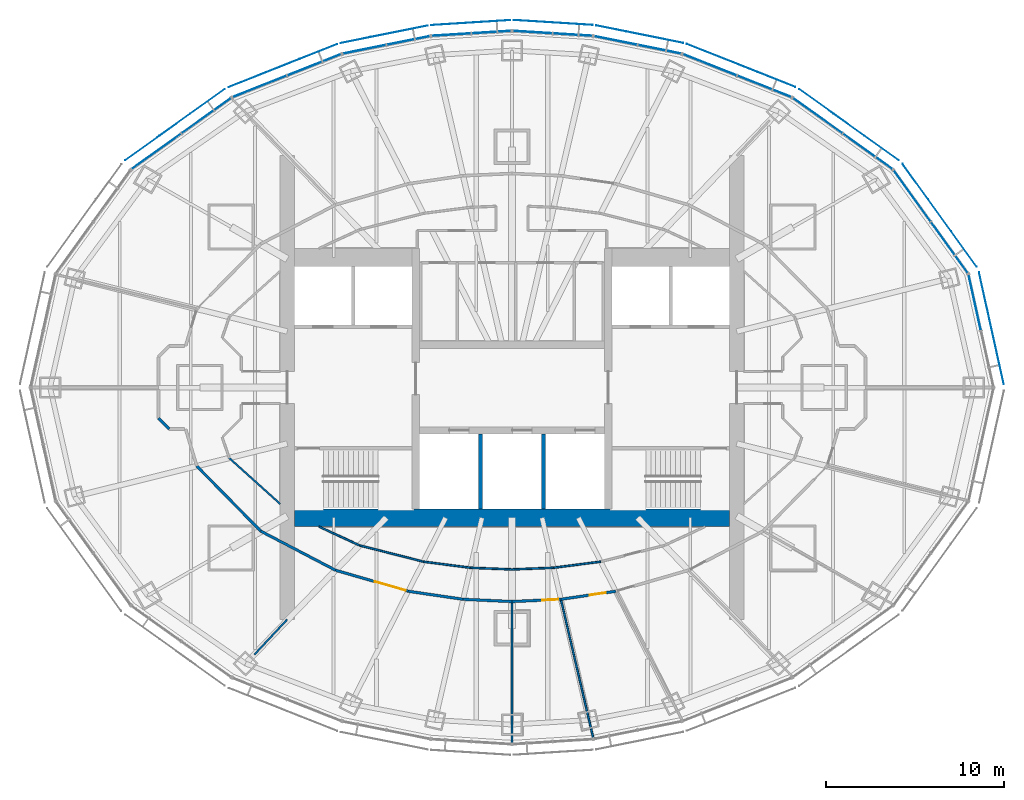
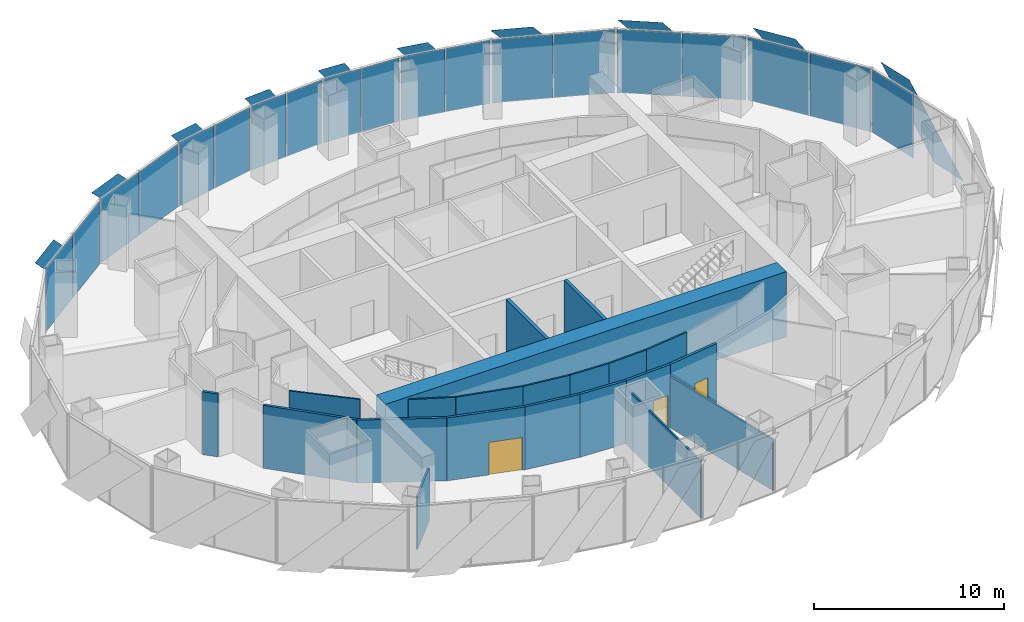
# One storey, part 11 of 17: 29 plates, 21 walls, 3 doors, 3 openings, 10 elements without a shape of their own.
"""IFC4 building model written with IfcOpenShell, lengths in metres."""

from ifc_helpers import new_model, si_unit, direction, frame, frame_2d, origin, origin_2d, place, context, subcontext, project, spatial, polyline, rectangle, outline, extrude, material, layer, layer_set, type_object, element, fill, aggregate, save


model = new_model("IFC4")

# Units and contexts
model_context = context("Model", 3, precision=1e-05, world=origin(), true_north=direction((0.0, 1.0)))
body_context = subcontext(model_context, "Body", "Model", "MODEL_VIEW")
ifc_project = project(units=[si_unit("LENGTHUNIT", "METRE"), si_unit("AREAUNIT", "SQUARE_METRE"), si_unit("VOLUMEUNIT", "CUBIC_METRE"), si_unit("PLANEANGLEUNIT", "RADIAN"), si_unit("MASSUNIT", "GRAM", prefix="KILO")], contexts=[model_context])

# Site, building, storey
site_placement = place(None, origin())
site = spatial("IfcSite", under=ifc_project, at=site_placement, CompositionType="ELEMENT")
building_placement = place(site_placement, origin())
building = spatial("IfcBuilding", under=site, at=building_placement, Name="Lantaw Convention Tower", CompositionType="ELEMENT")
storey_placement = place(building_placement, frame((0.0, 0.0, 215.800048828125)))
storey = spatial("IfcBuildingStorey", under=building, at=storey_placement, Name="L50", CompositionType="ELEMENT", Elevation=215.800048828125)

# Curtain wall, plate
ifc_material_1 = material(Name="Aluminium framed curtain wall", Category="aluminium")
curtain_wall_type = type_object("IfcCurtainWallType", Name="Office curtain wall high rise, pale aluminium", PredefinedType="USERDEFINED", material=ifc_material_1)
curtain_wall_1_placement = place(storey_placement, origin())
curtain_wall_1 = element("IfcCurtainWall", 1, at=curtain_wall_1_placement, inside=storey, type_object=curtain_wall_type, Name="Office curtain wall high rise, pale aluminium L50", ObjectType="UNITISED CURTAIN WALL", PredefinedType="USERDEFINED")
ifc_material_2 = material(Name="Clear insulating glass", Category="glass")
ifc_layer_1 = layer(ifc_material_2, 0.028076171875)
ifc_layer_set_1 = layer_set([ifc_layer_1], Name="CW-O2 panel 28")
plate_type_1 = type_object("IfcPlateType", Name="CW-O2 panel 28", PredefinedType="CURTAIN_PANEL", material=ifc_layer_set_1)
plate_1_placement = place(storey_placement, frame((25.945556640625, 4.769287109375, -0.0849609375), z_axis=(0.0, 0.0, 1.0), x_axis=(-0.215891333626, 0.976417396437, 0.0)))
plate_1 = element("IfcPlate", 2, at=plate_1_placement, type_object=plate_type_1, Name="CW-O2 panel 2.1", PredefinedType="CURTAIN_PANEL", context=body_context, shape_type="SweptSolid", body=[
    extrude(rectangle(XDim=3.169677734375, YDim=0.028076171875, at=origin_2d()), origin(), (0.0, 0.0, 1.0), 4.070068359375),
])
aggregate(curtain_wall_1, [plate_1])

# Curtain wall, plates
curtain_wall_2_placement = place(storey_placement, origin())
curtain_wall_2 = element("IfcCurtainWall", 3, at=curtain_wall_2_placement, inside=storey, type_object=curtain_wall_type, Name="Office curtain wall high rise, pale aluminium L50", ObjectType="UNITISED CURTAIN WALL", PredefinedType="USERDEFINED")
plate_2_placement = place(storey_placement, frame((24.527099609375, 7.852294921875, -0.0849609375), z_axis=(0.0, 0.0, 1.0), x_axis=(-0.585157643865, 0.810919559405, 0.0)))
plate_2 = element("IfcPlate", 4, at=plate_2_placement, type_object=plate_type_1, Name="CW-O2 panel 1.1", PredefinedType="CURTAIN_PANEL", context=body_context, shape_type="SweptSolid", body=[
    extrude(rectangle(XDim=3.500732421875, YDim=0.028076171875, at=origin_2d()), origin(), (0.0, 0.0, 1.0), 4.070068359375),
])
plate_3_placement = place(storey_placement, frame((22.4404296875, 10.743896484375, -0.0849609375), z_axis=(0.0, 0.0, 1.0), x_axis=(-0.585157643865, 0.810919559405, 0.0)))
plate_3 = element("IfcPlate", 5, at=plate_3_placement, type_object=plate_type_1, Name="CW-O2 panel 2.1", PredefinedType="CURTAIN_PANEL", context=body_context, shape_type="SweptSolid", body=[
    extrude(rectangle(XDim=3.500732421875, YDim=0.028076171875, at=origin_2d()), origin(), (0.0, 0.0, 1.0), 4.070068359375),
])
aggregate(curtain_wall_2, [plate_2, plate_3])

curtain_wall_3_placement = place(storey_placement, origin())
curtain_wall_3 = element("IfcCurtainWall", 6, at=curtain_wall_3_placement, inside=storey, type_object=curtain_wall_type, Name="Office curtain wall high rise, pale aluminium L50", ObjectType="UNITISED CURTAIN WALL", PredefinedType="USERDEFINED")
plate_4_placement = place(storey_placement, frame((19.947509765625, 13.23828125, -0.0849609375), z_axis=(0.0, 0.0, 1.0), x_axis=(-0.813672540482, 0.581323487281, 0.0)))
plate_4 = element("IfcPlate", 7, at=plate_4_placement, type_object=plate_type_1, Name="CW-O2 panel 1.1", PredefinedType="CURTAIN_PANEL", context=body_context, shape_type="SweptSolid", body=[
    extrude(rectangle(XDim=3.386474609375, YDim=0.028076171875, at=origin_2d()), origin(), (0.0, 0.0, 1.0), 4.070068359375),
])
plate_5_placement = place(storey_placement, frame((17.13916015625, 15.24462890625, -0.0849609375), z_axis=(0.0, 0.0, 1.0), x_axis=(-0.813672540482, 0.581323487281, 0.0)))
plate_5 = element("IfcPlate", 8, at=plate_5_placement, type_object=plate_type_1, Name="CW-O2 panel 2.1", PredefinedType="CURTAIN_PANEL", context=body_context, shape_type="SweptSolid", body=[
    extrude(rectangle(XDim=3.386474609375, YDim=0.028076171875, at=origin_2d()), origin(), (0.0, 0.0, 1.0), 4.070068359375),
])
aggregate(curtain_wall_3, [plate_4, plate_5])

curtain_wall_4_placement = place(storey_placement, origin())
curtain_wall_4 = element("IfcCurtainWall", 9, at=curtain_wall_4_placement, inside=storey, type_object=curtain_wall_type, Name="Office curtain wall high rise, pale aluminium L50", ObjectType="UNITISED CURTAIN WALL", PredefinedType="USERDEFINED")
plate_6_placement = place(storey_placement, frame((14.14990234375, 16.8837890625, -0.0849609375), z_axis=(0.0, 0.0, 1.0), x_axis=(-0.929761533743, 0.368162315252, 0.0)))
plate_6 = element("IfcPlate", 10, at=plate_6_placement, type_object=plate_type_1, Name="CW-O2 panel 1.1", PredefinedType="CURTAIN_PANEL", context=body_context, shape_type="SweptSolid", body=[
    extrude(rectangle(XDim=3.222900390625, YDim=0.028076171875, at=origin_2d()), origin(), (0.0, 0.0, 1.0), 4.070068359375),
])
plate_7_placement = place(storey_placement, frame((11.0927734375, 18.094482421875, -0.0849609375), z_axis=(0.0, 0.0, 1.0), x_axis=(-0.929761533743, 0.368162315252, 0.0)))
plate_7 = element("IfcPlate", 11, at=plate_7_placement, type_object=plate_type_1, Name="CW-O2 panel 2.1", PredefinedType="CURTAIN_PANEL", context=body_context, shape_type="SweptSolid", body=[
    extrude(rectangle(XDim=3.222900390625, YDim=0.028076171875, at=origin_2d()), origin(), (0.0, 0.0, 1.0), 4.070068359375),
])
aggregate(curtain_wall_4, [plate_6, plate_7])

curtain_wall_5_placement = place(storey_placement, origin())
curtain_wall_5 = element("IfcCurtainWall", 12, at=curtain_wall_5_placement, inside=storey, type_object=curtain_wall_type, Name="Office curtain wall high rise, pale aluminium L50", ObjectType="UNITISED CURTAIN WALL", PredefinedType="USERDEFINED")
plate_8_placement = place(storey_placement, frame((8.2724609375, 18.96533203125, -0.0849609375), z_axis=(0.0, 0.0, 1.0), x_axis=(-0.980366679695, 0.197183095987, 0.0)))
plate_8 = element("IfcPlate", 13, at=plate_8_placement, type_object=plate_type_1, Name="CW-O2 panel 1.1", PredefinedType="CURTAIN_PANEL", context=body_context, shape_type="SweptSolid", body=[
    extrude(rectangle(XDim=2.44384765625, YDim=0.028076171875, at=origin_2d()), origin(), (0.0, 0.0, 1.0), 4.070068359375),
])
plate_9_placement = place(storey_placement, frame((5.81298828125, 19.4599609375, -0.0849609375), z_axis=(0.0, 0.0, 1.0), x_axis=(-0.980366679695, 0.197183095987, 0.0)))
plate_9 = element("IfcPlate", 14, at=plate_9_placement, type_object=plate_type_1, Name="CW-O2 panel 2.1", PredefinedType="CURTAIN_PANEL", context=body_context, shape_type="SweptSolid", body=[
    extrude(rectangle(XDim=2.44384765625, YDim=0.028076171875, at=origin_2d()), origin(), (0.0, 0.0, 1.0), 4.070068359375),
])
aggregate(curtain_wall_5, [plate_8, plate_9])

curtain_wall_6_placement = place(storey_placement, origin())
curtain_wall_6 = element("IfcCurtainWall", 15, at=curtain_wall_6_placement, inside=storey, type_object=curtain_wall_type, Name="Office curtain wall high rise, pale aluminium L50", ObjectType="UNITISED CURTAIN WALL", PredefinedType="USERDEFINED")
plate_10_placement = place(storey_placement, frame((3.397216796875, 19.786376953125, -0.0849609375), z_axis=(0.0, 0.0, 1.0), x_axis=(-0.998028774865, 0.062757983884, 0.0)))
plate_10 = element("IfcPlate", 16, at=plate_10_placement, type_object=plate_type_1, Name="CW-O2 panel 1.1", PredefinedType="CURTAIN_PANEL", context=body_context, shape_type="SweptSolid", body=[
    extrude(rectangle(XDim=2.1826171875, YDim=0.028076171875, at=origin_2d()), origin(), (0.0, 0.0, 1.0), 4.070068359375),
])
plate_11_placement = place(storey_placement, frame((1.154052734375, 19.927490234375, -0.0849609375), z_axis=(0.0, 0.0, 1.0), x_axis=(-0.998028774865, 0.062757983884, 0.0)))
plate_11 = element("IfcPlate", 17, at=plate_11_placement, type_object=plate_type_1, Name="CW-O2 panel 2.1", PredefinedType="CURTAIN_PANEL", context=body_context, shape_type="SweptSolid", body=[
    extrude(rectangle(XDim=2.1826171875, YDim=0.028076171875, at=origin_2d()), origin(), (0.0, 0.0, 1.0), 4.070068359375),
])
aggregate(curtain_wall_6, [plate_10, plate_11])

curtain_wall_7_placement = place(storey_placement, origin())
curtain_wall_7 = element("IfcCurtainWall", 18, at=curtain_wall_7_placement, inside=storey, type_object=curtain_wall_type, Name="Office curtain wall high rise, pale aluminium L50", ObjectType="UNITISED CURTAIN WALL", PredefinedType="USERDEFINED")
plate_12_placement = place(storey_placement, frame((-1.154052734375, 19.927490234375, -0.0849609375), z_axis=(0.0, 0.0, 1.0), x_axis=(-0.998028774865, -0.062757983884, 0.0)))
plate_12 = element("IfcPlate", 19, at=plate_12_placement, type_object=plate_type_1, Name="CW-O2 panel 1.1", PredefinedType="CURTAIN_PANEL", context=body_context, shape_type="SweptSolid", body=[
    extrude(rectangle(XDim=2.1826171875, YDim=0.028076171875, at=origin_2d()), origin(), (0.0, 0.0, 1.0), 4.070068359375),
])
plate_13_placement = place(storey_placement, frame((-3.397216796875, 19.786376953125, -0.0849609375), z_axis=(0.0, 0.0, 1.0), x_axis=(-0.998028774865, -0.062757983884, 0.0)))
plate_13 = element("IfcPlate", 20, at=plate_13_placement, type_object=plate_type_1, Name="CW-O2 panel 2.1", PredefinedType="CURTAIN_PANEL", context=body_context, shape_type="SweptSolid", body=[
    extrude(rectangle(XDim=2.1826171875, YDim=0.028076171875, at=origin_2d()), origin(), (0.0, 0.0, 1.0), 4.070068359375),
])
aggregate(curtain_wall_7, [plate_12, plate_13])

curtain_wall_8_placement = place(storey_placement, origin())
curtain_wall_8 = element("IfcCurtainWall", 21, at=curtain_wall_8_placement, inside=storey, type_object=curtain_wall_type, Name="Office curtain wall high rise, pale aluminium L50", ObjectType="UNITISED CURTAIN WALL", PredefinedType="USERDEFINED")
plate_14_placement = place(storey_placement, frame((-5.81298828125, 19.4599609375, -0.0849609375), z_axis=(0.0, 0.0, 1.0), x_axis=(-0.980366679695, -0.197183095987, 0.0)))
plate_14 = element("IfcPlate", 22, at=plate_14_placement, type_object=plate_type_1, Name="CW-O2 panel 1.1", PredefinedType="CURTAIN_PANEL", context=body_context, shape_type="SweptSolid", body=[
    extrude(rectangle(XDim=2.44384765625, YDim=0.028076171875, at=origin_2d()), origin(), (0.0, 0.0, 1.0), 4.070068359375),
])
plate_15_placement = place(storey_placement, frame((-8.2724609375, 18.96533203125, -0.0849609375), z_axis=(0.0, 0.0, 1.0), x_axis=(-0.980366679695, -0.197183095987, 0.0)))
plate_15 = element("IfcPlate", 23, at=plate_15_placement, type_object=plate_type_1, Name="CW-O2 panel 2.1", PredefinedType="CURTAIN_PANEL", context=body_context, shape_type="SweptSolid", body=[
    extrude(rectangle(XDim=2.44384765625, YDim=0.028076171875, at=origin_2d()), origin(), (0.0, 0.0, 1.0), 4.070068359375),
])
aggregate(curtain_wall_8, [plate_14, plate_15])

curtain_wall_9_placement = place(storey_placement, origin())
curtain_wall_9 = element("IfcCurtainWall", 24, at=curtain_wall_9_placement, inside=storey, type_object=curtain_wall_type, Name="Office curtain wall high rise, pale aluminium L50", ObjectType="UNITISED CURTAIN WALL", PredefinedType="USERDEFINED")
plate_16_placement = place(storey_placement, frame((-11.0927734375, 18.094482421875, -0.0849609375), z_axis=(0.0, 0.0, 1.0), x_axis=(-0.929761533743, -0.368162315252, 0.0)))
plate_16 = element("IfcPlate", 25, at=plate_16_placement, type_object=plate_type_1, Name="CW-O2 panel 1.1", PredefinedType="CURTAIN_PANEL", context=body_context, shape_type="SweptSolid", body=[
    extrude(rectangle(XDim=3.222900390625, YDim=0.028076171875, at=origin_2d()), origin(), (0.0, 0.0, 1.0), 4.070068359375),
])
plate_17_placement = place(storey_placement, frame((-14.14990234375, 16.8837890625, -0.0849609375), z_axis=(0.0, 0.0, 1.0), x_axis=(-0.929761533743, -0.368162315252, 0.0)))
plate_17 = element("IfcPlate", 26, at=plate_17_placement, type_object=plate_type_1, Name="CW-O2 panel 2.1", PredefinedType="CURTAIN_PANEL", context=body_context, shape_type="SweptSolid", body=[
    extrude(rectangle(XDim=3.222900390625, YDim=0.028076171875, at=origin_2d()), origin(), (0.0, 0.0, 1.0), 4.070068359375),
])
aggregate(curtain_wall_9, [plate_16, plate_17])

curtain_wall_10_placement = place(storey_placement, origin())
curtain_wall_10 = element("IfcCurtainWall", 27, at=curtain_wall_10_placement, inside=storey, type_object=curtain_wall_type, Name="Office curtain wall high rise, pale aluminium L50", ObjectType="UNITISED CURTAIN WALL", PredefinedType="USERDEFINED")
plate_18_placement = place(storey_placement, frame((-17.13916015625, 15.24462890625, -0.0849609375), z_axis=(0.0, 0.0, 1.0), x_axis=(-0.813672540482, -0.581323487281, 0.0)))
plate_18 = element("IfcPlate", 28, at=plate_18_placement, type_object=plate_type_1, Name="CW-O2 panel 1.1", PredefinedType="CURTAIN_PANEL", context=body_context, shape_type="SweptSolid", body=[
    extrude(rectangle(XDim=3.386474609375, YDim=0.028076171875, at=origin_2d()), origin(), (0.0, 0.0, 1.0), 4.070068359375),
])
plate_19_placement = place(storey_placement, frame((-19.947509765625, 13.23828125, -0.0849609375), z_axis=(0.0, 0.0, 1.0), x_axis=(-0.813672540482, -0.581323487281, 0.0)))
plate_19 = element("IfcPlate", 29, at=plate_19_placement, type_object=plate_type_1, Name="CW-O2 panel 2.1", PredefinedType="CURTAIN_PANEL", context=body_context, shape_type="SweptSolid", body=[
    extrude(rectangle(XDim=3.386474609375, YDim=0.028076171875, at=origin_2d()), origin(), (0.0, 0.0, 1.0), 4.070068359375),
])
aggregate(curtain_wall_10, [plate_18, plate_19])

# Plates
ifc_material_3 = material(Name="Perforated aluminium sheet, pale silver finish", Category="aluminium")
ifc_layer_2 = layer(ifc_material_3, 0.006103515625)
ifc_layer_set_2 = layer_set([ifc_layer_2], Name="Perforated aluminium solar SCREEN panel")
plate_type_2 = type_object("IfcPlateType", Name="Perforated aluminium solar SCREEN panel", PredefinedType="SHEET", material=ifc_layer_set_2)
plate_20_placement = place(storey_placement, frame((27.580810546875, 0.1796875, -0.175048828125), z_axis=(0.976429511424, 0.215836529031, 4.4219438e-05), x_axis=(-0.215836529242, 0.976429512379, 0.0)))
element("IfcPlate", 30, at=plate_20_placement, inside=storey, type_object=plate_type_2, Name="Solar SCREEN panel", PredefinedType="SHEET", context=body_context, shape_type="SweptSolid", body=[
    extrude(outline(polyline([(0.0, 0.0), (2.2215525295212517, -3.3881317890172014e-21), (6.4341686174090675, 4.340087894868215), (4.212616087887817, 4.340087894868215), (0.0, 0.0)])), origin(), (0.0, 0.0, -1.0), 0.006103515625),
])
plate_21_placement = place(storey_placement, frame((26.051513671875, 6.775390625, -0.175048828125), z_axis=(-0.810892289695, -0.585195432394, 2.0458414e-05), x_axis=(-0.585195432516, 0.810892289865, 0.0)))
element("IfcPlate", 31, at=plate_21_placement, inside=storey, type_object=plate_type_2, Name="Solar SCREEN panel", PredefinedType="SHEET", context=body_context, shape_type="SweptSolid", body=[
    extrude(outline(polyline([(0.0, 0.0), (2.446848840683286, 6.776263578034403e-21), (7.09661046667572, -4.340087891533265), (4.649761625992435, -4.340087891533265), (0.0, 0.0)])), origin(), (0.0, 0.0, -1.0), 0.006103515625),
])
plate_22_placement = place(storey_placement, frame((21.689697265625, 12.73828125, -0.175048828125), z_axis=(0.581330799771, 0.813667316006, 1.0072414e-05), x_axis=(-0.813667316047, 0.5813307998, 3.02e-10)))
element("IfcPlate", 32, at=plate_22_placement, inside=storey, type_object=plate_type_2, Name="Solar SCREEN panel", PredefinedType="SHEET", context=body_context, shape_type="SweptSolid", body=[
    extrude(outline(polyline([(0.0, 0.0), (2.3691416428668504, 0.0), (6.867806096558412, 4.34008788877314), (4.498863102938644, 4.340087890202622), (0.0, 0.0)])), origin(), (0.0, 0.0, -1.0), 0.006103515625),
])
plate_23_placement = place(storey_placement, frame((15.88525390625, 16.8486328125, -0.175048828125), z_axis=(-0.368116612072, -0.929779629081, 3.5533269e-05), x_axis=(-0.929779629668, 0.368116612304, -1.786e-09)))
element("IfcPlate", 33, at=plate_23_placement, inside=storey, type_object=plate_type_2, Name="Solar SCREEN panel", PredefinedType="SHEET", context=body_context, shape_type="SweptSolid", body=[
    extrude(outline(polyline([(0.0, 0.0), (2.2578720663572183, -3.3881317890172014e-21), (6.540904465438181, -4.340087905048178), (4.282942526861161, -4.340087896982072), (0.0, 0.0)])), origin(), (0.0, 0.0, -1.0), 0.006103515625),
])
plate_24_placement = place(storey_placement, frame((9.6044921875, 19.315673828125, -0.175048828125), z_axis=(-0.197162069853, -0.980370908428, 1.0904083e-05), x_axis=(-0.980370908486, 0.197162069865, -7.55e-10)))
element("IfcPlate", 34, at=plate_24_placement, inside=storey, type_object=plate_type_2, Name="Solar SCREEN panel", PredefinedType="SHEET", context=body_context, shape_type="SweptSolid", body=[
    extrude(outline(polyline([(0.0, 0.0), (1.7279870169553606, 8.470329472543003e-22), (4.982578440602753, -4.340087894645749), (3.2545432883764285, -4.340087892035838), (0.0, 0.0)])), origin(), (0.0, 0.0, -1.0), 0.006103515625),
])
plate_25_placement = place(storey_placement, frame((4.539306640625, 20.32177734375, -0.175048828125), z_axis=(-0.062672387577, -0.998034151922, 5.858668e-05), x_axis=(-0.998034153635, 0.062672387685, 0.0)))
element("IfcPlate", 35, at=plate_25_placement, inside=storey, type_object=plate_type_2, Name="Solar SCREEN panel", PredefinedType="SHEET", context=body_context, shape_type="SweptSolid", body=[
    extrude(outline(polyline([(0.0, 0.0), (1.5504111513762302, 8.470329472543003e-22), (4.460200019412434, -4.340087898073457), (2.9097888680362036, -4.340087898073457), (0.0, 0.0)])), origin(), (0.0, 0.0, -1.0), 0.006103515625),
])
plate_26_placement = place(storey_placement, frame((-0.087890625, 20.6015625, -0.175048828125), z_axis=(-0.062672387577, 0.998034151922, 5.858668e-05), x_axis=(-0.998034153635, -0.062672387685, 0.0)))
element("IfcPlate", 36, at=plate_26_placement, inside=storey, type_object=plate_type_2, Name="Solar SCREEN panel", PredefinedType="SHEET", context=body_context, shape_type="SweptSolid", body=[
    extrude(outline(polyline([(0.0, 0.0), (1.5504111513762302, -8.470329472543003e-22), (4.460200019412434, 4.340087898073457), (2.9097888680362036, 4.340087898073457), (0.0, 0.0)])), origin(), (0.0, 0.0, -1.0), 0.006103515625),
])
plate_27_placement = place(storey_placement, frame((-4.7197265625, 20.298095703125, -0.175048828125), z_axis=(-0.197162069853, 0.980370908428, 1.0904083e-05), x_axis=(-0.980370908486, -0.197162069865, 7.55e-10)))
element("IfcPlate", 37, at=plate_27_placement, inside=storey, type_object=plate_type_2, Name="Solar SCREEN panel", PredefinedType="SHEET", context=body_context, shape_type="SweptSolid", body=[
    extrude(outline(polyline([(0.0, 0.0), (1.7280351522263238, 4.235164736271502e-22), (4.982578447157737, 4.34008788712039), (3.2545914302023755, 4.340087889730228), (0.0, 0.0)])), origin(), (0.0, 0.0, -1.0), 0.006103515625),
])
plate_28_placement = place(storey_placement, frame((-9.8037109375, 19.256591796875, -0.175048828125), z_axis=(-0.368116612072, 0.929779629081, 3.5533269e-05), x_axis=(-0.929779629668, -0.368116612304, 1.786e-09)))
element("IfcPlate", 38, at=plate_28_placement, inside=storey, type_object=plate_type_2, Name="Solar SCREEN panel", PredefinedType="SHEET", context=body_context, shape_type="SweptSolid", body=[
    extrude(outline(polyline([(0.0, 0.0), (2.257961938577019, 0.0), (6.540904480942253, 4.34008788168214), (4.283032414585035, 4.340087889747925), (0.0, 0.0)])), origin(), (0.0, 0.0, -1.0), 0.006103515625),
])
plate_29_placement = place(storey_placement, frame((-16.1015625, 16.730712890625, -0.175048828125), z_axis=(0.581330799771, -0.813667316006, 1.0072414e-05), x_axis=(-0.813667316047, -0.5813307998, -3.02e-10)))
element("IfcPlate", 39, at=plate_29_placement, inside=storey, type_object=plate_type_2, Name="Solar SCREEN panel", PredefinedType="SHEET", context=body_context, shape_type="SweptSolid", body=[
    extrude(outline(polyline([(0.0, 0.0), (2.3689429936197683, -1.6940658945086007e-21), (6.867806093939489, -4.340087892917353), (4.498664451072639, -4.340087891487751), (0.0, 0.0)])), origin(), (0.0, 0.0, -1.0), 0.006103515625),
])

# Walls
ifc_material_4 = material(Name="Concrete C60/75", Category="concrete")
ifc_layer_3 = layer(ifc_material_4, 1.0)
ifc_layer_set_3 = layer_set([ifc_layer_3], Name="Core wall 1000")
wall_type_1 = type_object("IfcWallType", Name="Core wall 1000", PredefinedType="SHEAR", material=ifc_layer_set_3)
wall_1_placement = place(storey_placement, frame((-12.199951171875, -7.300048828125, 0.0), z_axis=(0.0, 0.0, 1.0), x_axis=(1.0, 0.0, 0.0)))
element("IfcWall", 40, at=wall_1_placement, inside=storey, type_object=wall_type_1, Name="Core wall S", PredefinedType="SHEAR", context=body_context, shape_type="SweptSolid", body=[
    extrude(rectangle(XDim=24.39990234375, YDim=1.0, at=frame_2d((12.199951171875, 0.0))), origin(), (0.0, 0.0, 1.0), 4.199951171875),
])
ifc_material_5 = material(Name="Gypsum board on steel studs, fire rated", Category="steel")
ifc_layer_4 = layer(ifc_material_5, 0.14990234375)
ifc_layer_set_4 = layer_set([ifc_layer_4], Name="Corridor wall 150 EI 60")
wall_type_2 = type_object("IfcWallType", Name="Corridor wall 150 EI 60", PredefinedType="PARTITIONING", material=ifc_layer_set_4)
wall_2_placement = place(storey_placement, frame((-17.6728515625, -4.40625, 0.0), z_axis=(0.0, 0.0, 1.0), x_axis=(0.701111216625, -0.713051934941, 0.0)))
element("IfcWall", 41, at=wall_2_placement, inside=storey, type_object=wall_type_2, Name="Corridor wall 150", PredefinedType="PARTITIONING", context=body_context, shape_type="SweptSolid", body=[
    extrude(rectangle(XDim=5.111572265625, YDim=0.14990234375, at=frame_2d((2.5556640625, 0.0))), origin(), (0.0, 0.0, 1.0), 4.050048828125),
])
wall_3_placement = place(storey_placement, frame((-14.089111328125, -8.051025390625, 0.0), z_axis=(0.0, 0.0, 1.0), x_axis=(0.886174439647, -0.463351769735, 0.0)))
element("IfcWall", 42, at=wall_3_placement, inside=storey, type_object=wall_type_2, Name="Corridor wall 150", PredefinedType="PARTITIONING", context=body_context, shape_type="SweptSolid", body=[
    extrude(rectangle(XDim=4.734619140625, YDim=0.14990234375, at=frame_2d((2.3671875, 0.0))), origin(), (0.0, 0.0, 1.0), 4.050048828125),
])

# Wall, opening, door
wall_4_placement = place(storey_placement, frame((-9.893310546875, -10.244873046875, 0.0), z_axis=(0.0, 0.0, 1.0), x_axis=(0.960614838378, -0.27788330696, 0.0)))
wall_4 = element("IfcWall", 43, at=wall_4_placement, inside=storey, type_object=wall_type_2, Name="Corridor wall 150", PredefinedType="PARTITIONING", context=body_context, shape_type="SweptSolid", body=[
    extrude(rectangle(XDim=4.239990234375, YDim=0.14990234375, at=frame_2d((2.1201171875, 0.0))), origin(), (0.0, 0.0, 1.0), 4.050048828125),
])
opening_1_placement = place(wall_4_placement, frame((2.2900390625, 0.0, 0.0)))
opening_1 = element("IfcOpeningElement", 44, at=opening_1_placement, cuts=wall_4, Name="Opening L50.28", PredefinedType="OPENING", context=body_context, shape_type="SweptSolid", body=[
    extrude(rectangle(XDim=1.800048828125, YDim=2.10009765625, at=frame_2d((0.89990234375, 1.050048828125))), frame((0.0, 0.0849609375, 0.0), z_axis=(0.0, -1.0, 0.0), x_axis=(1.0, 0.0, 0.0)), (0.0, 0.0, 1.0), 0.169921875),
])
ifc_material_6 = material(Name="Steel, fire rated", Category="steel")
door_type_1 = type_object("IfcDoorType", Name="Office double door 1800 FD30", OperationType="DOUBLE_DOOR_DOUBLE_SWING", PredefinedType="DOOR", material=ifc_material_6)
door_1_placement = place(opening_1_placement, origin())
door_1 = element("IfcDoor", 45, at=door_1_placement, inside=storey, type_object=door_type_1, Name="Open office door", OperationType="DOUBLE_DOOR_DOUBLE_SWING", OverallHeight=2.10009765625, OverallWidth=1.800048828125, PredefinedType="DOOR", context=body_context, shape_type="SweptSolid", body=[
    extrude(rectangle(XDim=1.800048828125, YDim=2.10009765625, at=frame_2d((0.89990234375, 1.050048828125))), frame((0.0, 0.02490234375, 0.0), z_axis=(0.0, -1.0, 0.0), x_axis=(1.0, 0.0, 0.0)), (0.0, 0.0, 1.0), 0.050048828125),
])
fill(opening_1, door_1)

# Walls
wall_5_placement = place(storey_placement, frame((-5.8203125, -11.423095703125, 0.0), z_axis=(0.0, 0.0, 1.0), x_axis=(0.989421822189, -0.145067080265, 0.0)))
element("IfcWall", 46, at=wall_5_placement, inside=storey, type_object=wall_type_2, Name="Corridor wall 150", PredefinedType="PARTITIONING", context=body_context, shape_type="SweptSolid", body=[
    extrude(rectangle(XDim=3.11181640625, YDim=0.14990234375, at=frame_2d((1.555908203125, 0.0))), origin(), (0.0, 0.0, 1.0), 4.050048828125),
])
wall_6_placement = place(storey_placement, frame((-2.741455078125, -11.87451171875, 0.0), z_axis=(0.0, 0.0, 1.0), x_axis=(0.998953998629, -0.045726454297, 0.0)))
element("IfcWall", 47, at=wall_6_placement, inside=storey, type_object=wall_type_2, Name="Corridor wall 150", PredefinedType="PARTITIONING", context=body_context, shape_type="SweptSolid", body=[
    extrude(rectangle(XDim=2.744384765625, YDim=0.14990234375, at=frame_2d((1.3720703125, 0.0))), origin(), (0.0, 0.0, 1.0), 4.050048828125),
])

# Wall, opening, door
wall_7_placement = place(storey_placement, frame((0.0, -12.0, 0.0), z_axis=(0.0, 0.0, 1.0), x_axis=(0.998953998629, 0.045726454297, 0.0)))
wall_7 = element("IfcWall", 48, at=wall_7_placement, inside=storey, type_object=wall_type_2, Name="Corridor wall 150", PredefinedType="PARTITIONING", context=body_context, shape_type="SweptSolid", body=[
    extrude(rectangle(XDim=2.744384765625, YDim=0.14990234375, at=frame_2d((1.3720703125, 0.0))), origin(), (0.0, 0.0, 1.0), 4.050048828125),
])
opening_2_placement = place(wall_7_placement, frame((1.6943359375, 0.0, 0.0)))
opening_2 = element("IfcOpeningElement", 49, at=opening_2_placement, cuts=wall_7, Name="Opening L50.29", PredefinedType="OPENING", context=body_context, shape_type="SweptSolid", body=[
    extrude(rectangle(XDim=0.89990234375, YDim=2.10009765625, at=frame_2d((0.449951171875, 1.050048828125))), frame((0.0, 0.0849609375, 0.0), z_axis=(0.0, -1.0, 0.0), x_axis=(1.0, 0.0, 0.0)), (0.0, 0.0, 1.0), 0.169921875),
])
door_type_2 = type_object("IfcDoorType", Name="Office door 900 FD30", OperationType="SINGLE_SWING_LEFT", PredefinedType="DOOR", material=ifc_material_6)
door_2_placement = place(opening_2_placement, origin())
door_2 = element("IfcDoor", 50, at=door_2_placement, inside=storey, type_object=door_type_2, Name="Meeting room door", OperationType="SINGLE_SWING_LEFT", OverallHeight=2.10009765625, OverallWidth=0.89990234375, PredefinedType="DOOR", context=body_context, shape_type="SweptSolid", body=[
    extrude(rectangle(XDim=0.89990234375, YDim=2.10009765625, at=frame_2d((0.449951171875, 1.050048828125))), frame((0.0, 0.02490234375, 0.0), z_axis=(0.0, -1.0, 0.0), x_axis=(1.0, 0.0, 0.0)), (0.0, 0.0, 1.0), 0.050048828125),
])
fill(opening_2, door_2)

wall_8_placement = place(storey_placement, frame((2.741455078125, -11.87451171875, 0.0), z_axis=(0.0, 0.0, 1.0), x_axis=(0.989421822189, 0.145067080265, 0.0)))
wall_8 = element("IfcWall", 51, at=wall_8_placement, inside=storey, type_object=wall_type_2, Name="Corridor wall 150", PredefinedType="PARTITIONING", context=body_context, shape_type="SweptSolid", body=[
    extrude(rectangle(XDim=3.11181640625, YDim=0.14990234375, at=frame_2d((1.555908203125, 0.0))), origin(), (0.0, 0.0, 1.0), 4.050048828125),
])
opening_3_placement = place(wall_8_placement, frame((1.636962890625, 0.0, 0.0)))
opening_3 = element("IfcOpeningElement", 52, at=opening_3_placement, cuts=wall_8, Name="Opening L50.30", PredefinedType="OPENING", context=body_context, shape_type="SweptSolid", body=[
    extrude(rectangle(XDim=0.89990234375, YDim=2.10009765625, at=frame_2d((0.449951171875, 1.050048828125))), frame((0.0, 0.0849609375, 0.0), z_axis=(0.0, -1.0, 0.0), x_axis=(1.0, 0.0, 0.0)), (0.0, 0.0, 1.0), 0.169921875),
])
door_3_placement = place(opening_3_placement, origin())
door_3 = element("IfcDoor", 53, at=door_3_placement, inside=storey, type_object=door_type_2, Name="Meeting room door", OperationType="SINGLE_SWING_LEFT", OverallHeight=2.10009765625, OverallWidth=0.89990234375, PredefinedType="DOOR", context=body_context, shape_type="SweptSolid", body=[
    extrude(rectangle(XDim=0.89990234375, YDim=2.10009765625, at=frame_2d((0.449951171875, 1.050048828125))), frame((0.0, 0.02490234375, 0.0), z_axis=(0.0, -1.0, 0.0), x_axis=(1.0, 0.0, 0.0)), (0.0, 0.0, 1.0), 0.050048828125),
])
fill(opening_3, door_3)

# Walls
wall_9_placement = place(storey_placement, frame((-19.224609375, -2.324951171875, 0.0), z_axis=(0.0, 0.0, 1.0), x_axis=(-0.707106781187, 0.707106781187, 0.0)))
element("IfcWall", 54, at=wall_9_placement, inside=storey, type_object=wall_type_2, Name="Corridor wall 150", PredefinedType="PARTITIONING", context=body_context, shape_type="SweptSolid", body=[
    extrude(rectangle(XDim=0.84912109375, YDim=0.14990234375, at=frame_2d((0.424560546875, 0.0))), origin(), (0.0, 0.0, 1.0), 4.050048828125),
])
ifc_material_7 = material(Name="Gypsum board on steel studs, acoustic", Category="steel")
ifc_layer_5 = layer(ifc_material_7, 0.10009765625)
ifc_layer_set_5 = layer_set([ifc_layer_5], Name="Office partition 100")
wall_type_3 = type_object("IfcWallType", Name="Office partition 100", PredefinedType="PARTITIONING", material=ifc_layer_set_5)
wall_10_placement = place(storey_placement, frame((0.0, -19.94482421875, 0.0), z_axis=(0.0, 0.0, 1.0), x_axis=(0.0, 1.0, 0.0)))
element("IfcWall", 55, at=wall_10_placement, inside=storey, type_object=wall_type_3, Name="Office partition 100", PredefinedType="PARTITIONING", context=body_context, shape_type="SweptSolid", body=[
    extrude(rectangle(XDim=7.94482421875, YDim=0.10009765625, at=frame_2d((3.972412109375, 0.0))), origin(), (0.0, 0.0, 1.0), 3.6435546875),
])
wall_11_placement = place(storey_placement, frame((4.5556640625, -19.65673828125, 0.0), z_axis=(0.0, 0.0, 1.0), x_axis=(-0.227034513848, 0.973886712879, 0.0)))
element("IfcWall", 56, at=wall_11_placement, inside=storey, type_object=wall_type_3, Name="Office partition 100", PredefinedType="PARTITIONING", context=body_context, shape_type="SweptSolid", body=[
    extrude(rectangle(XDim=7.990966796875, YDim=0.10009765625, at=frame_2d((3.99560546875, 0.0))), origin(), (0.0, 0.0, 1.0), 3.29296875),
])
wall_12_placement = place(storey_placement, frame((-13.0, -6.5244140625, 0.0), z_axis=(0.0, 0.0, 1.0), x_axis=(-0.743177243228, 0.669094601046, 0.0)))
element("IfcWall", 57, at=wall_12_placement, inside=storey, type_object=wall_type_3, Name="Office partition 100", PredefinedType="PARTITIONING", context=body_context, shape_type="SweptSolid", body=[
    extrude(rectangle(XDim=3.842529296875, YDim=0.10009765625, at=frame_2d((1.92138671875, 0.0))), origin(), (0.0, 0.0, 1.0), 4.050048828125),
])
wall_13_placement = place(storey_placement, frame((4.97509765625, -9.763916015625, 0.0), z_axis=(0.0, 0.0, 1.0), x_axis=(-0.99173579163, -0.128296997624, 0.0)))
element("IfcWall", 58, at=wall_13_placement, inside=storey, type_object=wall_type_3, Name="Office partition 100", PredefinedType="PARTITIONING", context=body_context, shape_type="SweptSolid", body=[
    extrude(rectangle(XDim=2.6640625, YDim=0.10009765625, at=frame_2d((1.33203125, 0.0))), origin(), (0.0, 0.0, 1.0), 4.050048828125),
])
for number, where, z_axis, x_axis, name in (
    (59, (2.3330078125, -10.105712890625, 0.0), (0.0, 0.0, 1.0), (-0.999185180766, -0.040360556695, 0.0), "Office partition 100"),
    (60, (0.0, -10.199951171875, 0.0), (0.0, 0.0, 1.0), (-0.999185180766, 0.040360556695, 0.0), "Office partition 100"),
):
    element("IfcWall", number, at=place(storey_placement, frame(where, z_axis=z_axis, x_axis=x_axis)), inside=storey, type_object=wall_type_3, Name=name, PredefinedType="PARTITIONING", context=body_context, shape_type="SweptSolid", body=[
        extrude(rectangle(XDim=2.3349609375, YDim=0.10009765625, at=frame_2d((1.16748046875, 0.0))), origin(), (0.0, 0.0, 1.0), 4.050048828125),
    ])
wall_14_placement = place(storey_placement, frame((-2.3330078125, -10.105712890625, 0.0), z_axis=(0.0, 0.0, 1.0), x_axis=(-0.99173579163, 0.128296997624, 0.0)))
element("IfcWall", 61, at=wall_14_placement, inside=storey, type_object=wall_type_3, Name="Office partition 100", PredefinedType="PARTITIONING", context=body_context, shape_type="SweptSolid", body=[
    extrude(rectangle(XDim=2.6640625, YDim=0.10009765625, at=frame_2d((1.33203125, 0.0))), origin(), (0.0, 0.0, 1.0), 4.050048828125),
])
wall_15_placement = place(storey_placement, frame((-4.97509765625, -9.763916015625, 0.0), z_axis=(0.0, 0.0, 1.0), x_axis=(-0.968887312542, 0.247502273921, 0.0)))
element("IfcWall", 62, at=wall_15_placement, inside=storey, type_object=wall_type_3, Name="Office partition 100", PredefinedType="PARTITIONING", context=body_context, shape_type="SweptSolid", body=[
    extrude(rectangle(XDim=3.687255859375, YDim=0.10009765625, at=frame_2d((1.84375, 0.0))), origin(), (0.0, 0.0, 1.0), 4.050048828125),
])
wall_16_placement = place(storey_placement, frame((-8.547607421875, -8.851318359375, 0.0), z_axis=(0.0, 0.0, 1.0), x_axis=(-0.907759689292, 0.419490579748, 0.0)))
element("IfcWall", 63, at=wall_16_placement, inside=storey, type_object=wall_type_3, Name="Office partition 100", PredefinedType="PARTITIONING", context=body_context, shape_type="SweptSolid", body=[
    extrude(rectangle(XDim=2.506103515625, YDim=0.10009765625, at=frame_2d((1.2529296875, 0.0))), origin(), (0.0, 0.0, 1.0), 4.050048828125),
])
wall_17_placement = place(storey_placement, frame((-12.60009765625, -13.0, 0.0), z_axis=(0.0, 0.0, 1.0), x_axis=(-0.682434118301, -0.730947107648, 0.0)))
element("IfcWall", 64, at=wall_17_placement, inside=storey, type_object=wall_type_3, Name="Office partition 100", PredefinedType="PARTITIONING", context=body_context, shape_type="SweptSolid", body=[
    extrude(rectangle(XDim=2.702392578125, YDim=0.10009765625, at=frame_2d((1.35107421875, 0.0))), origin(), (0.0, 0.0, 1.0), 3.409912109375),
])
ifc_material_8 = material(Name="Concrete blockwork, fire rated", Category="masonry")
ifc_layer_6 = layer(ifc_material_8, 0.199951171875)
ifc_layer_set_6 = layer_set([ifc_layer_6], Name="Shaft wall 200 load-bearing")
wall_type_4 = type_object("IfcWallType", Name="Shaft wall 200 load-bearing", PredefinedType="SOLIDWALL", material=ifc_layer_set_6)
for number, where, z_axis, x_axis, name in (
    (65, (-1.7666015625, -2.60009765625, 0.0), (0.0, 0.0, 1.0), (0.0, -1.0, 0.0), "Shaft wall DS1"),
    (66, (1.7666015625, -2.60009765625, 0.0), (0.0, 0.0, 1.0), (0.0, -1.0, 0.0), "Shaft wall DS2"),
):
    element("IfcWall", number, at=place(storey_placement, frame(where, z_axis=z_axis, x_axis=x_axis)), inside=storey, type_object=wall_type_4, Name=name, PredefinedType="SOLIDWALL", context=body_context, shape_type="SweptSolid", body=[
        extrude(rectangle(XDim=4.199951171875, YDim=0.199951171875, at=frame_2d((2.10009765625, 0.0))), origin(), (0.0, 0.0, 1.0), 4.199951171875),
    ])

save(model, "model.ifc")
